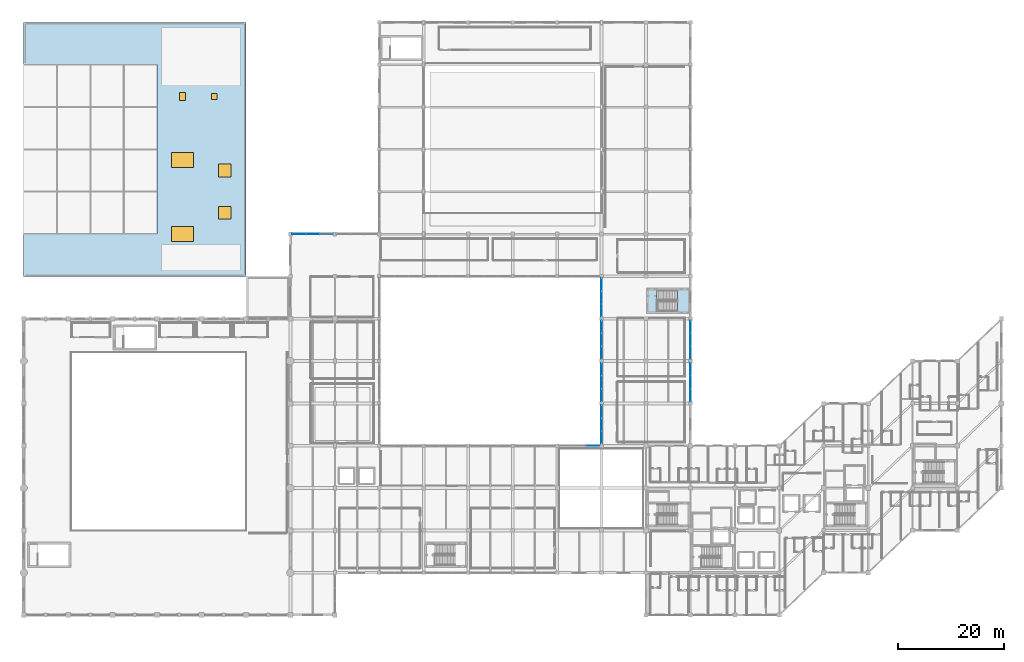
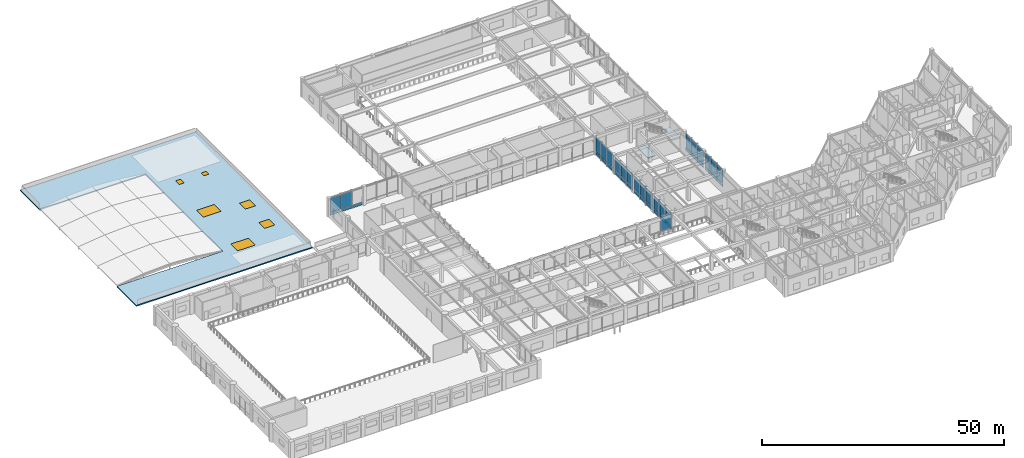
# One storey, part 46 of 76: 42 plates, 6 windows, 3 slabs, 6 openings, 9 elements without a shape of their own.
"""IFC4 building model written with IfcOpenShell, lengths in metres."""

from ifc_helpers import new_model, si_unit, direction, frame, origin, origin_2d, place, context, subcontext, project, spatial, polyline, rectangle, outline, extrude, material, layer, layer_set, type_object, element, fill, aggregate, save


model = new_model("IFC4")

# Units and contexts
model_context = context("Model", 3, precision=1e-05, world=origin(), true_north=direction((0.0, 1.0)))
body_context = subcontext(model_context, "Body", "Model", "MODEL_VIEW")
ifc_project = project(units=[si_unit("LENGTHUNIT", "METRE"), si_unit("AREAUNIT", "SQUARE_METRE"), si_unit("VOLUMEUNIT", "CUBIC_METRE"), si_unit("PLANEANGLEUNIT", "RADIAN"), si_unit("MASSUNIT", "GRAM", prefix="KILO")], contexts=[model_context])

# Site, building, storey
site_placement = place(None, origin())
site = spatial("IfcSite", under=ifc_project, at=site_placement, CompositionType="ELEMENT")
building_placement = place(site_placement, origin())
building = spatial("IfcBuilding", under=site, at=building_placement, Name="Naruveol Harbour Congress Hotel", CompositionType="ELEMENT")
storey_placement = place(building_placement, frame((0.0, 0.0, 11.39990234375)))
storey = spatial("IfcBuildingStorey", under=building, at=storey_placement, Name="L02", CompositionType="ELEMENT", Elevation=11.39990234375)

# Curtain wall, plates
ifc_material_1 = material(Name="Low-E Curtain Wall System", Category="glass")
ifc_layer_1 = layer(ifc_material_1, 0.179931640625)
ifc_layer_set_1 = layer_set([ifc_layer_1], Name="Low-E Curtain Wall System")
curtain_wall_type_1 = type_object("IfcCurtainWallType", Name="UNITISED CURTAIN WALL CW-V4E-39 7300X4500", PredefinedType="USERDEFINED", material=ifc_layer_set_1)
curtain_wall_1_placement = place(storey_placement, origin())
curtain_wall_1 = element("IfcCurtainWall", 1, at=curtain_wall_1_placement, inside=storey, type_object=curtain_wall_type_1, Name="Unitised curtain wall CW-V4E-39 L02", ObjectType="UNITISED GLAZING", PredefinedType="USERDEFINED")
ifc_material_2 = material(Name="Anodised Aluminium Spandrel", Category="aluminium")
ifc_layer_2 = layer(ifc_material_2, 0.054931640625)
ifc_layer_set_2 = layer_set([ifc_layer_2], Name="Anodised Aluminium Spandrel")
plate_type_1 = type_object("IfcPlateType", Name="INSULATED CERAMIC SPANDREL PANEL 55", PredefinedType="CURTAIN_PANEL", material=ifc_layer_set_2)
plate_1_placement = place(storey_placement, frame((126.010009765625, 54.433349609375, 0.0400390625), z_axis=(0.0, 0.0, 1.0), x_axis=(0.0, -1.0, 0.0)))
plate_1 = element("IfcPlate", 2, at=plate_1_placement, type_object=plate_type_1, Name="Curtain wall spandrel panel CW-L02-0100-PS0", PredefinedType="CURTAIN_PANEL", context=body_context, shape_type="SweptSolid", body=[
    extrude(rectangle(XDim=2.35302734375, YDim=0.054931640625, at=origin_2d()), origin(), (0.0, 0.0, 1.0), 0.77001953125),
])
plate_2_placement = place(storey_placement, frame((126.010009765625, 52.0, 0.0400390625), z_axis=(0.0, 0.0, 1.0), x_axis=(0.0, -1.0, 0.0)))
plate_2 = element("IfcPlate", 3, at=plate_2_placement, type_object=plate_type_1, Name="Curtain wall spandrel panel CW-L02-0100-PS1", PredefinedType="CURTAIN_PANEL", context=body_context, shape_type="SweptSolid", body=[
    extrude(rectangle(XDim=2.35302734375, YDim=0.054931640625, at=origin_2d()), origin(), (0.0, 0.0, 1.0), 0.77001953125),
])
plate_3_placement = place(storey_placement, frame((126.010009765625, 49.566650390625, 0.0400390625), z_axis=(0.0, 0.0, 1.0), x_axis=(0.0, -1.0, 0.0)))
plate_3 = element("IfcPlate", 4, at=plate_3_placement, type_object=plate_type_1, Name="Curtain wall spandrel panel CW-L02-0100-PS2", PredefinedType="CURTAIN_PANEL", context=body_context, shape_type="SweptSolid", body=[
    extrude(rectangle(XDim=2.35302734375, YDim=0.054931640625, at=origin_2d()), origin(), (0.0, 0.0, 1.0), 0.77001953125),
])

curtain_wall_2_placement = place(storey_placement, origin())
curtain_wall_2 = element("IfcCurtainWall", 5, at=curtain_wall_2_placement, inside=storey, type_object=curtain_wall_type_1, Name="Unitised curtain wall CW-V4E-39 L02", ObjectType="UNITISED GLAZING", PredefinedType="USERDEFINED")
plate_4_placement = place(storey_placement, frame((126.010009765625, 46.433349609375, 0.0400390625), z_axis=(0.0, 0.0, 1.0), x_axis=(0.0, -1.0, 0.0)))
plate_4 = element("IfcPlate", 6, at=plate_4_placement, type_object=plate_type_1, Name="Curtain wall spandrel panel CW-L02-0101-PS0", PredefinedType="CURTAIN_PANEL", context=body_context, shape_type="SweptSolid", body=[
    extrude(rectangle(XDim=2.35302734375, YDim=0.054931640625, at=origin_2d()), origin(), (0.0, 0.0, 1.0), 0.77001953125),
])
plate_5_placement = place(storey_placement, frame((126.010009765625, 44.0, 0.0400390625), z_axis=(0.0, 0.0, 1.0), x_axis=(0.0, -1.0, 0.0)))
plate_5 = element("IfcPlate", 7, at=plate_5_placement, type_object=plate_type_1, Name="Curtain wall spandrel panel CW-L02-0101-PS1", PredefinedType="CURTAIN_PANEL", context=body_context, shape_type="SweptSolid", body=[
    extrude(rectangle(XDim=2.35302734375, YDim=0.054931640625, at=origin_2d()), origin(), (0.0, 0.0, 1.0), 0.77001953125),
])
plate_6_placement = place(storey_placement, frame((126.010009765625, 41.566650390625, 0.0400390625), z_axis=(0.0, 0.0, 1.0), x_axis=(0.0, -1.0, 0.0)))
plate_6 = element("IfcPlate", 8, at=plate_6_placement, type_object=plate_type_1, Name="Curtain wall spandrel panel CW-L02-0101-PS2", PredefinedType="CURTAIN_PANEL", context=body_context, shape_type="SweptSolid", body=[
    extrude(rectangle(XDim=2.35302734375, YDim=0.054931640625, at=origin_2d()), origin(), (0.0, 0.0, 1.0), 0.77001953125),
])

ifc_material_3 = material(Name="Low-E Curtain Wall System", Category="glass")
ifc_layer_3 = layer(ifc_material_3, 0.179931640625)
ifc_layer_set_3 = layer_set([ifc_layer_3], Name="Low-E Curtain Wall System")
curtain_wall_type_2 = type_object("IfcCurtainWallType", Name="UNITISED CURTAIN WALL CW-V4NF-40 7700X4500", PredefinedType="USERDEFINED", material=ifc_layer_set_3)
curtain_wall_3_placement = place(storey_placement, origin())
curtain_wall_3 = element("IfcCurtainWall", 9, at=curtain_wall_3_placement, inside=storey, type_object=curtain_wall_type_2, Name="Unitised curtain wall CW-V4NF-40 L02", ObjectType="UNITISED GLAZING", PredefinedType="USERDEFINED")
plate_7_placement = place(storey_placement, frame((52.033203125, 72.010009765625, 0.0400390625), z_axis=(0.0, 0.0, 1.0), x_axis=(1.0, 0.0, 0.0)))
plate_7 = element("IfcPlate", 10, at=plate_7_placement, type_object=plate_type_1, Name="Curtain wall spandrel panel CW-L02-0102-PS0", PredefinedType="CURTAIN_PANEL", context=body_context, shape_type="SweptSolid", body=[
    extrude(rectangle(XDim=2.487060546875, YDim=0.054931640625, at=origin_2d()), origin(), (0.0, 0.0, 1.0), 0.77001953125),
])
plate_8_placement = place(storey_placement, frame((54.60009765625, 72.010009765625, 0.0400390625), z_axis=(0.0, 0.0, 1.0), x_axis=(1.0, 0.0, 0.0)))
plate_8 = element("IfcPlate", 11, at=plate_8_placement, type_object=plate_type_1, Name="Curtain wall spandrel panel CW-L02-0102-PS1", PredefinedType="CURTAIN_PANEL", context=body_context, shape_type="SweptSolid", body=[
    extrude(rectangle(XDim=2.487060546875, YDim=0.054931640625, at=origin_2d()), origin(), (0.0, 0.0, 1.0), 0.77001953125),
])
plate_9_placement = place(storey_placement, frame((57.166748046875, 72.010009765625, 0.0400390625), z_axis=(0.0, 0.0, 1.0), x_axis=(1.0, 0.0, 0.0)))
plate_9 = element("IfcPlate", 12, at=plate_9_placement, type_object=plate_type_1, Name="Curtain wall spandrel panel CW-L02-0102-PS2", PredefinedType="CURTAIN_PANEL", context=body_context, shape_type="SweptSolid", body=[
    extrude(rectangle(XDim=2.487060546875, YDim=0.054931640625, at=origin_2d()), origin(), (0.0, 0.0, 1.0), 0.77001953125),
])

ifc_material_4 = material(Name="Low-E Curtain Wall System", Category="glass")
ifc_layer_4 = layer(ifc_material_4, 0.179931640625)
ifc_layer_set_4 = layer_set([ifc_layer_4], Name="Low-E Curtain Wall System")
curtain_wall_type_3 = type_object("IfcCurtainWallType", Name="UNITISED CURTAIN WALL CW-CTE-44 7300X4500", PredefinedType="USERDEFINED", material=ifc_layer_set_4)
curtain_wall_4_placement = place(storey_placement, origin())
curtain_wall_4 = element("IfcCurtainWall", 13, at=curtain_wall_4_placement, inside=storey, type_object=curtain_wall_type_3, Name="Unitised curtain wall CW-CTE-44 L02", ObjectType="UNITISED GLAZING", PredefinedType="USERDEFINED")
plate_10_placement = place(storey_placement, frame((109.2099609375, 38.433349609375, 0.0400390625), z_axis=(0.0, 0.0, 1.0), x_axis=(0.0, -1.0, 0.0)))
plate_10 = element("IfcPlate", 14, at=plate_10_placement, type_object=plate_type_1, Name="Curtain wall spandrel panel CW-L02-0115-PS0", PredefinedType="CURTAIN_PANEL", context=body_context, shape_type="SweptSolid", body=[
    extrude(rectangle(XDim=2.35302734375, YDim=0.054931640625, at=origin_2d()), origin(), (0.0, 0.0, 1.0), 0.77001953125),
])
plate_11_placement = place(storey_placement, frame((109.2099609375, 36.0, 0.0400390625), z_axis=(0.0, 0.0, 1.0), x_axis=(0.0, -1.0, 0.0)))
plate_11 = element("IfcPlate", 15, at=plate_11_placement, type_object=plate_type_1, Name="Curtain wall spandrel panel CW-L02-0115-PS1", PredefinedType="CURTAIN_PANEL", context=body_context, shape_type="SweptSolid", body=[
    extrude(rectangle(XDim=2.35302734375, YDim=0.054931640625, at=origin_2d()), origin(), (0.0, 0.0, 1.0), 0.77001953125),
])
plate_12_placement = place(storey_placement, frame((109.2099609375, 33.566650390625, 0.0400390625), z_axis=(0.0, 0.0, 1.0), x_axis=(0.0, -1.0, 0.0)))
plate_12 = element("IfcPlate", 16, at=plate_12_placement, type_object=plate_type_1, Name="Curtain wall spandrel panel CW-L02-0115-PS2", PredefinedType="CURTAIN_PANEL", context=body_context, shape_type="SweptSolid", body=[
    extrude(rectangle(XDim=2.35302734375, YDim=0.054931640625, at=origin_2d()), origin(), (0.0, 0.0, 1.0), 0.77001953125),
])

curtain_wall_5_placement = place(storey_placement, origin())
curtain_wall_5 = element("IfcCurtainWall", 17, at=curtain_wall_5_placement, inside=storey, type_object=curtain_wall_type_3, Name="Unitised curtain wall CW-CTE-44 L02", ObjectType="UNITISED GLAZING", PredefinedType="USERDEFINED")
plate_13_placement = place(storey_placement, frame((109.2099609375, 46.433349609375, 0.0400390625), z_axis=(0.0, 0.0, 1.0), x_axis=(0.0, -1.0, 0.0)))
plate_13 = element("IfcPlate", 18, at=plate_13_placement, type_object=plate_type_1, Name="Curtain wall spandrel panel CW-L02-0117-PS0", PredefinedType="CURTAIN_PANEL", context=body_context, shape_type="SweptSolid", body=[
    extrude(rectangle(XDim=2.35302734375, YDim=0.054931640625, at=origin_2d()), origin(), (0.0, 0.0, 1.0), 0.77001953125),
])
plate_14_placement = place(storey_placement, frame((109.2099609375, 44.0, 0.0400390625), z_axis=(0.0, 0.0, 1.0), x_axis=(0.0, -1.0, 0.0)))
plate_14 = element("IfcPlate", 19, at=plate_14_placement, type_object=plate_type_1, Name="Curtain wall spandrel panel CW-L02-0117-PS1", PredefinedType="CURTAIN_PANEL", context=body_context, shape_type="SweptSolid", body=[
    extrude(rectangle(XDim=2.35302734375, YDim=0.054931640625, at=origin_2d()), origin(), (0.0, 0.0, 1.0), 0.77001953125),
])
plate_15_placement = place(storey_placement, frame((109.2099609375, 41.566650390625, 0.0400390625), z_axis=(0.0, 0.0, 1.0), x_axis=(0.0, -1.0, 0.0)))
plate_15 = element("IfcPlate", 20, at=plate_15_placement, type_object=plate_type_1, Name="Curtain wall spandrel panel CW-L02-0117-PS2", PredefinedType="CURTAIN_PANEL", context=body_context, shape_type="SweptSolid", body=[
    extrude(rectangle(XDim=2.35302734375, YDim=0.054931640625, at=origin_2d()), origin(), (0.0, 0.0, 1.0), 0.77001953125),
])

curtain_wall_6_placement = place(storey_placement, origin())
curtain_wall_6 = element("IfcCurtainWall", 21, at=curtain_wall_6_placement, inside=storey, type_object=curtain_wall_type_3, Name="Unitised curtain wall CW-CTE-44 L02", ObjectType="UNITISED GLAZING", PredefinedType="USERDEFINED")
plate_16_placement = place(storey_placement, frame((109.2099609375, 54.433349609375, 0.0400390625), z_axis=(0.0, 0.0, 1.0), x_axis=(0.0, -1.0, 0.0)))
plate_16 = element("IfcPlate", 22, at=plate_16_placement, type_object=plate_type_1, Name="Curtain wall spandrel panel CW-L02-0119-PS0", PredefinedType="CURTAIN_PANEL", context=body_context, shape_type="SweptSolid", body=[
    extrude(rectangle(XDim=2.35302734375, YDim=0.054931640625, at=origin_2d()), origin(), (0.0, 0.0, 1.0), 0.77001953125),
])
plate_17_placement = place(storey_placement, frame((109.2099609375, 52.0, 0.0400390625), z_axis=(0.0, 0.0, 1.0), x_axis=(0.0, -1.0, 0.0)))
plate_17 = element("IfcPlate", 23, at=plate_17_placement, type_object=plate_type_1, Name="Curtain wall spandrel panel CW-L02-0119-PS1", PredefinedType="CURTAIN_PANEL", context=body_context, shape_type="SweptSolid", body=[
    extrude(rectangle(XDim=2.35302734375, YDim=0.054931640625, at=origin_2d()), origin(), (0.0, 0.0, 1.0), 0.77001953125),
])
plate_18_placement = place(storey_placement, frame((109.2099609375, 49.566650390625, 0.0400390625), z_axis=(0.0, 0.0, 1.0), x_axis=(0.0, -1.0, 0.0)))
plate_18 = element("IfcPlate", 24, at=plate_18_placement, type_object=plate_type_1, Name="Curtain wall spandrel panel CW-L02-0119-PS2", PredefinedType="CURTAIN_PANEL", context=body_context, shape_type="SweptSolid", body=[
    extrude(rectangle(XDim=2.35302734375, YDim=0.054931640625, at=origin_2d()), origin(), (0.0, 0.0, 1.0), 0.77001953125),
])

curtain_wall_7_placement = place(storey_placement, origin())
curtain_wall_7 = element("IfcCurtainWall", 25, at=curtain_wall_7_placement, inside=storey, type_object=curtain_wall_type_3, Name="Unitised curtain wall CW-CTE-44 L02", ObjectType="UNITISED GLAZING", PredefinedType="USERDEFINED")
plate_19_placement = place(storey_placement, frame((109.2099609375, 62.433349609375, 0.0400390625), z_axis=(0.0, 0.0, 1.0), x_axis=(0.0, -1.0, 0.0)))
plate_19 = element("IfcPlate", 26, at=plate_19_placement, type_object=plate_type_1, Name="Curtain wall spandrel panel CW-L02-0121-PS0", PredefinedType="CURTAIN_PANEL", context=body_context, shape_type="SweptSolid", body=[
    extrude(rectangle(XDim=2.35302734375, YDim=0.054931640625, at=origin_2d()), origin(), (0.0, 0.0, 1.0), 0.77001953125),
])
plate_20_placement = place(storey_placement, frame((109.2099609375, 60.0, 0.0400390625), z_axis=(0.0, 0.0, 1.0), x_axis=(0.0, -1.0, 0.0)))
plate_20 = element("IfcPlate", 27, at=plate_20_placement, type_object=plate_type_1, Name="Curtain wall spandrel panel CW-L02-0121-PS1", PredefinedType="CURTAIN_PANEL", context=body_context, shape_type="SweptSolid", body=[
    extrude(rectangle(XDim=2.35302734375, YDim=0.054931640625, at=origin_2d()), origin(), (0.0, 0.0, 1.0), 0.77001953125),
])
plate_21_placement = place(storey_placement, frame((109.2099609375, 57.566650390625, 0.0400390625), z_axis=(0.0, 0.0, 1.0), x_axis=(0.0, -1.0, 0.0)))
plate_21 = element("IfcPlate", 28, at=plate_21_placement, type_object=plate_type_1, Name="Curtain wall spandrel panel CW-L02-0121-PS2", PredefinedType="CURTAIN_PANEL", context=body_context, shape_type="SweptSolid", body=[
    extrude(rectangle(XDim=2.35302734375, YDim=0.054931640625, at=origin_2d()), origin(), (0.0, 0.0, 1.0), 0.77001953125),
])

# Plate
ifc_material_5 = material(Name="Low-E Insulated Glass", Category="glass")
ifc_layer_5 = layer(ifc_material_5, 0.0419921875)
ifc_layer_set_5 = layer_set([ifc_layer_5], Name="Low-E Insulated Glass")
plate_type_2 = type_object("IfcPlateType", Name="LOW-E TRIPLE GLAZED CURTAIN PANEL 42", PredefinedType="CURTAIN_PANEL", material=ifc_layer_set_5)
plate_22_placement = place(storey_placement, frame((126.010009765625, 54.433349609375, 0.89013671875), z_axis=(0.0, 0.0, 1.0), x_axis=(0.0, -1.0, 0.0)))
plate_22 = element("IfcPlate", 29, at=plate_22_placement, type_object=plate_type_2, Name="Curtain wall vision panel CW-L02-0100-PG0", PredefinedType="CURTAIN_PANEL", context=body_context, shape_type="SweptSolid", body=[
    extrude(rectangle(XDim=2.35302734375, YDim=0.0419921875, at=origin_2d()), origin(), (0.0, 0.0, 1.0), 3.489990234375),
])

plate_23_placement = place(storey_placement, frame((126.010009765625, 52.0, 0.89013671875), z_axis=(0.0, 0.0, 1.0), x_axis=(0.0, -1.0, 0.0)))
plate_23 = element("IfcPlate", 30, at=plate_23_placement, type_object=plate_type_2, Name="Curtain wall vision panel CW-L02-0100-PG1", PredefinedType="CURTAIN_PANEL", context=body_context, shape_type="SweptSolid", body=[
    extrude(rectangle(XDim=2.35302734375, YDim=0.0419921875, at=origin_2d()), origin(), (0.0, 0.0, 1.0), 3.489990234375),
])

plate_24_placement = place(storey_placement, frame((126.010009765625, 49.566650390625, 0.89013671875), z_axis=(0.0, 0.0, 1.0), x_axis=(0.0, -1.0, 0.0)))
plate_24 = element("IfcPlate", 31, at=plate_24_placement, type_object=plate_type_2, Name="Curtain wall vision panel CW-L02-0100-PG2", PredefinedType="CURTAIN_PANEL", context=body_context, shape_type="SweptSolid", body=[
    extrude(rectangle(XDim=2.35302734375, YDim=0.0419921875, at=origin_2d()), origin(), (0.0, 0.0, 1.0), 3.489990234375),
])

aggregate(curtain_wall_1, [plate_1, plate_22, plate_2, plate_23, plate_3, plate_24])

plate_25_placement = place(storey_placement, frame((126.010009765625, 46.433349609375, 0.89013671875), z_axis=(0.0, 0.0, 1.0), x_axis=(0.0, -1.0, 0.0)))
plate_25 = element("IfcPlate", 32, at=plate_25_placement, type_object=plate_type_2, Name="Curtain wall vision panel CW-L02-0101-PG0", PredefinedType="CURTAIN_PANEL", context=body_context, shape_type="SweptSolid", body=[
    extrude(rectangle(XDim=2.35302734375, YDim=0.0419921875, at=origin_2d()), origin(), (0.0, 0.0, 1.0), 3.489990234375),
])

plate_26_placement = place(storey_placement, frame((126.010009765625, 44.0, 0.89013671875), z_axis=(0.0, 0.0, 1.0), x_axis=(0.0, -1.0, 0.0)))
plate_26 = element("IfcPlate", 33, at=plate_26_placement, type_object=plate_type_2, Name="Curtain wall vision panel CW-L02-0101-PG1", PredefinedType="CURTAIN_PANEL", context=body_context, shape_type="SweptSolid", body=[
    extrude(rectangle(XDim=2.35302734375, YDim=0.0419921875, at=origin_2d()), origin(), (0.0, 0.0, 1.0), 3.489990234375),
])

plate_27_placement = place(storey_placement, frame((126.010009765625, 41.566650390625, 0.89013671875), z_axis=(0.0, 0.0, 1.0), x_axis=(0.0, -1.0, 0.0)))
plate_27 = element("IfcPlate", 34, at=plate_27_placement, type_object=plate_type_2, Name="Curtain wall vision panel CW-L02-0101-PG2", PredefinedType="CURTAIN_PANEL", context=body_context, shape_type="SweptSolid", body=[
    extrude(rectangle(XDim=2.35302734375, YDim=0.0419921875, at=origin_2d()), origin(), (0.0, 0.0, 1.0), 3.489990234375),
])

aggregate(curtain_wall_2, [plate_4, plate_25, plate_5, plate_26, plate_6, plate_27])

plate_28_placement = place(storey_placement, frame((52.033203125, 72.010009765625, 0.89013671875), z_axis=(0.0, 0.0, 1.0), x_axis=(1.0, 0.0, 0.0)))
plate_28 = element("IfcPlate", 35, at=plate_28_placement, type_object=plate_type_2, Name="Curtain wall vision panel CW-L02-0102-PG0", PredefinedType="CURTAIN_PANEL", context=body_context, shape_type="SweptSolid", body=[
    extrude(rectangle(XDim=2.487060546875, YDim=0.0419921875, at=origin_2d()), origin(), (0.0, 0.0, 1.0), 3.489990234375),
])

plate_29_placement = place(storey_placement, frame((54.60009765625, 72.010009765625, 0.89013671875), z_axis=(0.0, 0.0, 1.0), x_axis=(1.0, 0.0, 0.0)))
plate_29 = element("IfcPlate", 36, at=plate_29_placement, type_object=plate_type_2, Name="Curtain wall vision panel CW-L02-0102-PG1", PredefinedType="CURTAIN_PANEL", context=body_context, shape_type="SweptSolid", body=[
    extrude(rectangle(XDim=2.487060546875, YDim=0.0419921875, at=origin_2d()), origin(), (0.0, 0.0, 1.0), 3.489990234375),
])

aggregate(curtain_wall_3, [plate_7, plate_28, plate_8, plate_29, plate_9])

# Curtain wall, plate
ifc_material_6 = material(Name="Low-E Curtain Wall System", Category="glass")
ifc_layer_6 = layer(ifc_material_6, 0.179931640625)
ifc_layer_set_6 = layer_set([ifc_layer_6], Name="Low-E Curtain Wall System")
curtain_wall_type_4 = type_object("IfcCurtainWallType", Name="UNITISED CURTAIN WALL CW-CTS-42 7700X4500", PredefinedType="USERDEFINED", material=ifc_layer_set_6)
curtain_wall_8_placement = place(storey_placement, origin())
curtain_wall_8 = element("IfcCurtainWall", 37, at=curtain_wall_8_placement, inside=storey, type_object=curtain_wall_type_4, Name="Unitised curtain wall CW-CTS-42 L02", ObjectType="UNITISED GLAZING", PredefinedType="USERDEFINED")
plate_30_placement = place(storey_placement, frame((107.566650390625, 32.010009765625, 0.89013671875), z_axis=(0.0, 0.0, 1.0), x_axis=(1.0, 0.0, 0.0)))
plate_30 = element("IfcPlate", 38, at=plate_30_placement, type_object=plate_type_2, Name="Curtain wall vision panel CW-L02-0113-PG2", PredefinedType="CURTAIN_PANEL", context=body_context, shape_type="SweptSolid", body=[
    extrude(rectangle(XDim=2.487060546875, YDim=0.0419921875, at=origin_2d()), origin(), (0.0, 0.0, 1.0), 3.489990234375),
])
aggregate(curtain_wall_8, [plate_30])

# Plate
plate_31_placement = place(storey_placement, frame((109.2099609375, 38.433349609375, 0.89013671875), z_axis=(0.0, 0.0, 1.0), x_axis=(0.0, -1.0, 0.0)))
plate_31 = element("IfcPlate", 39, at=plate_31_placement, type_object=plate_type_2, Name="Curtain wall vision panel CW-L02-0115-PG0", PredefinedType="CURTAIN_PANEL", context=body_context, shape_type="SweptSolid", body=[
    extrude(rectangle(XDim=2.35302734375, YDim=0.0419921875, at=origin_2d()), origin(), (0.0, 0.0, 1.0), 3.489990234375),
])

plate_32_placement = place(storey_placement, frame((109.2099609375, 36.0, 0.89013671875), z_axis=(0.0, 0.0, 1.0), x_axis=(0.0, -1.0, 0.0)))
plate_32 = element("IfcPlate", 40, at=plate_32_placement, type_object=plate_type_2, Name="Curtain wall vision panel CW-L02-0115-PG1", PredefinedType="CURTAIN_PANEL", context=body_context, shape_type="SweptSolid", body=[
    extrude(rectangle(XDim=2.35302734375, YDim=0.0419921875, at=origin_2d()), origin(), (0.0, 0.0, 1.0), 3.489990234375),
])

plate_33_placement = place(storey_placement, frame((109.2099609375, 33.566650390625, 0.89013671875), z_axis=(0.0, 0.0, 1.0), x_axis=(0.0, -1.0, 0.0)))
plate_33 = element("IfcPlate", 41, at=plate_33_placement, type_object=plate_type_2, Name="Curtain wall vision panel CW-L02-0115-PG2", PredefinedType="CURTAIN_PANEL", context=body_context, shape_type="SweptSolid", body=[
    extrude(rectangle(XDim=2.35302734375, YDim=0.0419921875, at=origin_2d()), origin(), (0.0, 0.0, 1.0), 3.489990234375),
])

aggregate(curtain_wall_4, [plate_10, plate_31, plate_11, plate_32, plate_12, plate_33])

plate_34_placement = place(storey_placement, frame((109.2099609375, 46.433349609375, 0.89013671875), z_axis=(0.0, 0.0, 1.0), x_axis=(0.0, -1.0, 0.0)))
plate_34 = element("IfcPlate", 42, at=plate_34_placement, type_object=plate_type_2, Name="Curtain wall vision panel CW-L02-0117-PG0", PredefinedType="CURTAIN_PANEL", context=body_context, shape_type="SweptSolid", body=[
    extrude(rectangle(XDim=2.35302734375, YDim=0.0419921875, at=origin_2d()), origin(), (0.0, 0.0, 1.0), 3.489990234375),
])

plate_35_placement = place(storey_placement, frame((109.2099609375, 44.0, 0.89013671875), z_axis=(0.0, 0.0, 1.0), x_axis=(0.0, -1.0, 0.0)))
plate_35 = element("IfcPlate", 43, at=plate_35_placement, type_object=plate_type_2, Name="Curtain wall vision panel CW-L02-0117-PG1", PredefinedType="CURTAIN_PANEL", context=body_context, shape_type="SweptSolid", body=[
    extrude(rectangle(XDim=2.35302734375, YDim=0.0419921875, at=origin_2d()), origin(), (0.0, 0.0, 1.0), 3.489990234375),
])

plate_36_placement = place(storey_placement, frame((109.2099609375, 41.566650390625, 0.89013671875), z_axis=(0.0, 0.0, 1.0), x_axis=(0.0, -1.0, 0.0)))
plate_36 = element("IfcPlate", 44, at=plate_36_placement, type_object=plate_type_2, Name="Curtain wall vision panel CW-L02-0117-PG2", PredefinedType="CURTAIN_PANEL", context=body_context, shape_type="SweptSolid", body=[
    extrude(rectangle(XDim=2.35302734375, YDim=0.0419921875, at=origin_2d()), origin(), (0.0, 0.0, 1.0), 3.489990234375),
])

aggregate(curtain_wall_5, [plate_13, plate_34, plate_14, plate_35, plate_15, plate_36])

plate_37_placement = place(storey_placement, frame((109.2099609375, 54.433349609375, 0.89013671875), z_axis=(0.0, 0.0, 1.0), x_axis=(0.0, -1.0, 0.0)))
plate_37 = element("IfcPlate", 45, at=plate_37_placement, type_object=plate_type_2, Name="Curtain wall vision panel CW-L02-0119-PG0", PredefinedType="CURTAIN_PANEL", context=body_context, shape_type="SweptSolid", body=[
    extrude(rectangle(XDim=2.35302734375, YDim=0.0419921875, at=origin_2d()), origin(), (0.0, 0.0, 1.0), 3.489990234375),
])

plate_38_placement = place(storey_placement, frame((109.2099609375, 52.0, 0.89013671875), z_axis=(0.0, 0.0, 1.0), x_axis=(0.0, -1.0, 0.0)))
plate_38 = element("IfcPlate", 46, at=plate_38_placement, type_object=plate_type_2, Name="Curtain wall vision panel CW-L02-0119-PG1", PredefinedType="CURTAIN_PANEL", context=body_context, shape_type="SweptSolid", body=[
    extrude(rectangle(XDim=2.35302734375, YDim=0.0419921875, at=origin_2d()), origin(), (0.0, 0.0, 1.0), 3.489990234375),
])

plate_39_placement = place(storey_placement, frame((109.2099609375, 49.566650390625, 0.89013671875), z_axis=(0.0, 0.0, 1.0), x_axis=(0.0, -1.0, 0.0)))
plate_39 = element("IfcPlate", 47, at=plate_39_placement, type_object=plate_type_2, Name="Curtain wall vision panel CW-L02-0119-PG2", PredefinedType="CURTAIN_PANEL", context=body_context, shape_type="SweptSolid", body=[
    extrude(rectangle(XDim=2.35302734375, YDim=0.0419921875, at=origin_2d()), origin(), (0.0, 0.0, 1.0), 3.489990234375),
])

aggregate(curtain_wall_6, [plate_16, plate_37, plate_17, plate_38, plate_18, plate_39])

plate_40_placement = place(storey_placement, frame((109.2099609375, 62.433349609375, 0.89013671875), z_axis=(0.0, 0.0, 1.0), x_axis=(0.0, -1.0, 0.0)))
plate_40 = element("IfcPlate", 48, at=plate_40_placement, type_object=plate_type_2, Name="Curtain wall vision panel CW-L02-0121-PG0", PredefinedType="CURTAIN_PANEL", context=body_context, shape_type="SweptSolid", body=[
    extrude(rectangle(XDim=2.35302734375, YDim=0.0419921875, at=origin_2d()), origin(), (0.0, 0.0, 1.0), 3.489990234375),
])

plate_41_placement = place(storey_placement, frame((109.2099609375, 60.0, 0.89013671875), z_axis=(0.0, 0.0, 1.0), x_axis=(0.0, -1.0, 0.0)))
plate_41 = element("IfcPlate", 49, at=plate_41_placement, type_object=plate_type_2, Name="Curtain wall vision panel CW-L02-0121-PG1", PredefinedType="CURTAIN_PANEL", context=body_context, shape_type="SweptSolid", body=[
    extrude(rectangle(XDim=2.35302734375, YDim=0.0419921875, at=origin_2d()), origin(), (0.0, 0.0, 1.0), 3.489990234375),
])

plate_42_placement = place(storey_placement, frame((109.2099609375, 57.566650390625, 0.89013671875), z_axis=(0.0, 0.0, 1.0), x_axis=(0.0, -1.0, 0.0)))
plate_42 = element("IfcPlate", 50, at=plate_42_placement, type_object=plate_type_2, Name="Curtain wall vision panel CW-L02-0121-PG2", PredefinedType="CURTAIN_PANEL", context=body_context, shape_type="SweptSolid", body=[
    extrude(rectangle(XDim=2.35302734375, YDim=0.0419921875, at=origin_2d()), origin(), (0.0, 0.0, 1.0), 3.489990234375),
])

aggregate(curtain_wall_7, [plate_19, plate_40, plate_20, plate_41, plate_21, plate_42])

# Slab, openings, windows
ifc_material_7 = material(Name="Concrete C40/50", Category="concrete")
ifc_layer_7 = layer(ifc_material_7, 0.260009765625)
ifc_layer_set_7 = layer_set([ifc_layer_7], Name="Concrete C40/50")
slab_type_1 = type_object("IfcSlabType", Name="RC PLANTED ROOF GARDEN SLAB 260", PredefinedType="ROOF", material=ifc_layer_set_7)
slab_1_placement = place(storey_placement, frame((0.0, 0.0, -0.260009765625)))
slab_1 = element("IfcSlab", 51, at=slab_1_placement, inside=storey, type_object=slab_type_1, Name="Thermal Spa planted roof garden deck", PredefinedType="ROOF", context=body_context, shape_type="SweptSolid", body=[
    extrude(outline(polyline([(0.0, 64.0), (42.0, 64.0), (42.0, 112.0), (0.0, 112.0), (0.0, 104.0), (25.199951171875, 104.0), (25.199951171875, 72.0), (0.0, 72.0), (0.0, 64.0)])), origin(), (0.0, 0.0, 1.0), 0.260009765625),
])
opening_1_placement = place(slab_1_placement, frame((30.0, 72.0, 0.0)))
opening_1 = element("IfcOpeningElement", 52, at=opening_1_placement, cuts=slab_1, Name="Opening SK-04", PredefinedType="OPENING", context=body_context, shape_type="SweptSolid", body=[
    extrude(rectangle(XDim=4.199951171875, YDim=2.800048828125, at=origin_2d()), origin(), (0.0, 0.0, 1.0), 0.260009765625),
])
opening_2_placement = place(slab_1_placement, frame((30.0, 86.0, 0.0)))
opening_2 = element("IfcOpeningElement", 53, at=opening_2_placement, cuts=slab_1, Name="Opening SK-04", PredefinedType="OPENING", context=body_context, shape_type="SweptSolid", body=[
    extrude(rectangle(XDim=4.199951171875, YDim=2.800048828125, at=origin_2d()), origin(), (0.0, 0.0, 1.0), 0.260009765625),
])
opening_3_placement = place(slab_1_placement, frame((38.0, 76.0, 0.0)))
opening_3 = element("IfcOpeningElement", 54, at=opening_3_placement, cuts=slab_1, Name="Opening SK-03", PredefinedType="OPENING", context=body_context, shape_type="SweptSolid", body=[
    extrude(rectangle(XDim=2.39990234375, YDim=2.39990234375, at=origin_2d()), origin(), (0.0, 0.0, 1.0), 0.260009765625),
])
opening_4_placement = place(slab_1_placement, frame((38.0, 84.0, 0.0)))
opening_4 = element("IfcOpeningElement", 55, at=opening_4_placement, cuts=slab_1, Name="Opening SK-03", PredefinedType="OPENING", context=body_context, shape_type="SweptSolid", body=[
    extrude(rectangle(XDim=2.39990234375, YDim=2.39990234375, at=origin_2d()), origin(), (0.0, 0.0, 1.0), 0.260009765625),
])
opening_5_placement = place(slab_1_placement, frame((36.0, 98.0, 0.0)))
opening_5 = element("IfcOpeningElement", 56, at=opening_5_placement, cuts=slab_1, Name="Opening RH-110", PredefinedType="OPENING", context=body_context, shape_type="SweptSolid", body=[
    extrude(rectangle(XDim=1.10009765625, YDim=1.10009765625, at=origin_2d()), origin(), (0.0, 0.0, 1.0), 0.260009765625),
])
opening_6_placement = place(slab_1_placement, frame((30.0, 98.0, 0.0)))
opening_6 = element("IfcOpeningElement", 57, at=opening_6_placement, cuts=slab_1, Name="Opening RH-150", PredefinedType="OPENING", context=body_context, shape_type="SweptSolid", body=[
    extrude(rectangle(XDim=1.199951171875, YDim=1.5, at=origin_2d()), origin(), (0.0, 0.0, 1.0), 0.260009765625),
])
ifc_material_8 = material(Name="Low-E Triple Glazing in Thermal Aluminium", Category="aluminium")
window_type_1 = type_object("IfcWindowType", Name="MEETING SALON DAYLIGHT DOME 2400X2400", PartitioningType="DOUBLE_PANEL_VERTICAL", PredefinedType="SKYLIGHT", material=ifc_material_8)
window_1_placement = place(opening_3_placement, frame((0.0, 0.0, 0.2099609375)))
window_1 = element("IfcWindow", 58, at=window_1_placement, inside=storey, type_object=window_type_1, Name="Roof skylight SK-03 #11", OverallHeight=2.39990234375, OverallWidth=2.39990234375, PartitioningType="SINGLE_PANEL", PredefinedType="SKYLIGHT", context=body_context, shape_type="SweptSolid", body=[
    extrude(rectangle(XDim=2.39990234375, YDim=2.39990234375, at=origin_2d()), origin(), (0.0, 0.0, 1.0), 0.050048828125),
])
fill(opening_3, window_1)
window_2_placement = place(opening_4_placement, frame((0.0, 0.0, 0.2099609375)))
window_2 = element("IfcWindow", 59, at=window_2_placement, inside=storey, type_object=window_type_1, Name="Roof skylight SK-03 #12", OverallHeight=2.39990234375, OverallWidth=2.39990234375, PartitioningType="SINGLE_PANEL", PredefinedType="SKYLIGHT", context=body_context, shape_type="SweptSolid", body=[
    extrude(rectangle(XDim=2.39990234375, YDim=2.39990234375, at=origin_2d()), origin(), (0.0, 0.0, 1.0), 0.050048828125),
])
fill(opening_4, window_2)
ifc_material_9 = material(Name="Low-E Triple Glazing in Thermal Aluminium", Category="aluminium")
window_type_2 = type_object("IfcWindowType", Name="ROOF ACCESS GLAZED HATCH 1100X1100", PartitioningType="SINGLE_PANEL", PredefinedType="SKYLIGHT", material=ifc_material_9)
window_3_placement = place(opening_5_placement, frame((0.0, 0.0, 0.2099609375)))
window_3 = element("IfcWindow", 60, at=window_3_placement, inside=storey, type_object=window_type_2, Name="Roof access hatch RH-110 #1", OverallHeight=1.10009765625, OverallWidth=1.10009765625, PartitioningType="SINGLE_PANEL", PredefinedType="SKYLIGHT", context=body_context, shape_type="SweptSolid", body=[
    extrude(rectangle(XDim=1.10009765625, YDim=1.10009765625, at=origin_2d()), origin(), (0.0, 0.0, 1.0), 0.050048828125),
])
fill(opening_5, window_3)
ifc_material_10 = material(Name="Low-E Triple Glazing in Thermal Aluminium", Category="aluminium")
window_type_3 = type_object("IfcWindowType", Name="SMOKE VENT GLAZED ROOF HATCH 1200X1500", PartitioningType="SINGLE_PANEL", PredefinedType="SKYLIGHT", material=ifc_material_10)
window_4_placement = place(opening_6_placement, frame((0.0, 0.0, 0.2099609375)))
window_4 = element("IfcWindow", 61, at=window_4_placement, inside=storey, type_object=window_type_3, Name="Roof access hatch RH-150 #2", OverallHeight=1.5, OverallWidth=1.199951171875, PartitioningType="SINGLE_PANEL", PredefinedType="SKYLIGHT", context=body_context, shape_type="SweptSolid", body=[
    extrude(rectangle(XDim=1.199951171875, YDim=1.5, at=origin_2d()), origin(), (0.0, 0.0, 1.0), 0.050048828125),
])
fill(opening_6, window_4)
ifc_material_11 = material(Name="Low-E Triple Glazing in Thermal Aluminium", Category="aluminium")
window_type_4 = type_object("IfcWindowType", Name="THERMAL LOUNGE SKYLIGHT 4200X2800", PartitioningType="DOUBLE_PANEL_VERTICAL", PredefinedType="SKYLIGHT", material=ifc_material_11)
window_5_placement = place(opening_1_placement, frame((0.0, 0.0, 0.2099609375)))
window_5 = element("IfcWindow", 62, at=window_5_placement, inside=storey, type_object=window_type_4, Name="Roof skylight SK-04 #9", OverallHeight=2.800048828125, OverallWidth=4.199951171875, PartitioningType="SINGLE_PANEL", PredefinedType="SKYLIGHT", context=body_context, shape_type="SweptSolid", body=[
    extrude(rectangle(XDim=4.199951171875, YDim=2.800048828125, at=origin_2d()), origin(), (0.0, 0.0, 1.0), 0.050048828125),
])
fill(opening_1, window_5)
window_6_placement = place(opening_2_placement, frame((0.0, 0.0, 0.2099609375)))
window_6 = element("IfcWindow", 63, at=window_6_placement, inside=storey, type_object=window_type_4, Name="Roof skylight SK-04 #10", OverallHeight=2.800048828125, OverallWidth=4.199951171875, PartitioningType="SINGLE_PANEL", PredefinedType="SKYLIGHT", context=body_context, shape_type="SweptSolid", body=[
    extrude(rectangle(XDim=4.199951171875, YDim=2.800048828125, at=origin_2d()), origin(), (0.0, 0.0, 1.0), 0.050048828125),
])
fill(opening_2, window_6)

# Slab
ifc_material_12 = material(Name="Concrete C40/50", Category="concrete")
ifc_layer_8 = layer(ifc_material_12, 0.179931640625)
ifc_layer_set_8 = layer_set([ifc_layer_8], Name="Concrete C40/50")
slab_type_2 = type_object("IfcSlabType", Name="RC STAIR HALF LANDING SLAB 180", PredefinedType="LANDING", material=ifc_layer_set_8)
slab_2_placement = place(storey_placement, frame((0.0, 0.0, -0.179931640625)))
element("IfcSlab", 64, at=slab_2_placement, inside=storey, type_object=slab_type_2, Name="Stair ST9 L02 floor landing", PredefinedType="LANDING", context=body_context, shape_type="SweptSolid", body=[
    extrude(outline(polyline([(117.89990234375, 57.199951171875), (119.699951171875, 57.199951171875), (119.699951171875, 61.56005859375), (117.89990234375, 61.56005859375), (117.89990234375, 57.199951171875)])), origin(), (0.0, 0.0, 1.0), 0.179931640625),
])

# Stair, slab
ifc_material_13 = material(Name="Concrete C40/50", Category="concrete")
stair_type = type_object("IfcStairType", Name="RC DOG LEG ESCAPE STAIR 1800W H4800", PredefinedType="HALF_TURN_STAIR", material=ifc_material_13)
stair_placement = place(storey_placement, origin())
stair = element("IfcStair", 65, at=stair_placement, inside=storey, type_object=stair_type, Name="Courtyard North-East Exit Stair ST9 L02 to L03", PredefinedType="HALF_TURN_STAIR")
slab_3_placement = place(storey_placement, frame((0.0, 0.0, 2.22021484375)))
slab_3 = element("IfcSlab", 66, at=slab_3_placement, type_object=slab_type_2, Name="ST9 L02 half landing", PredefinedType="LANDING", context=body_context, shape_type="SweptSolid", body=[
    extrude(outline(polyline([(123.534912109375, 57.199951171875), (125.699951171875, 57.199951171875), (125.699951171875, 61.56005859375), (123.534912109375, 61.56005859375), (123.534912109375, 57.199951171875)])), origin(), (0.0, 0.0, 1.0), 0.179931640625),
])
aggregate(stair, [slab_3])

save(model, "model.ifc")
